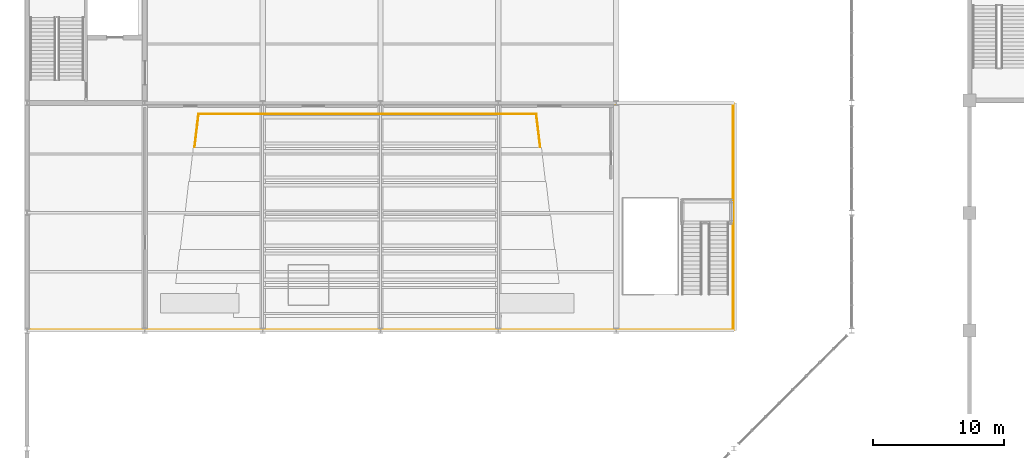
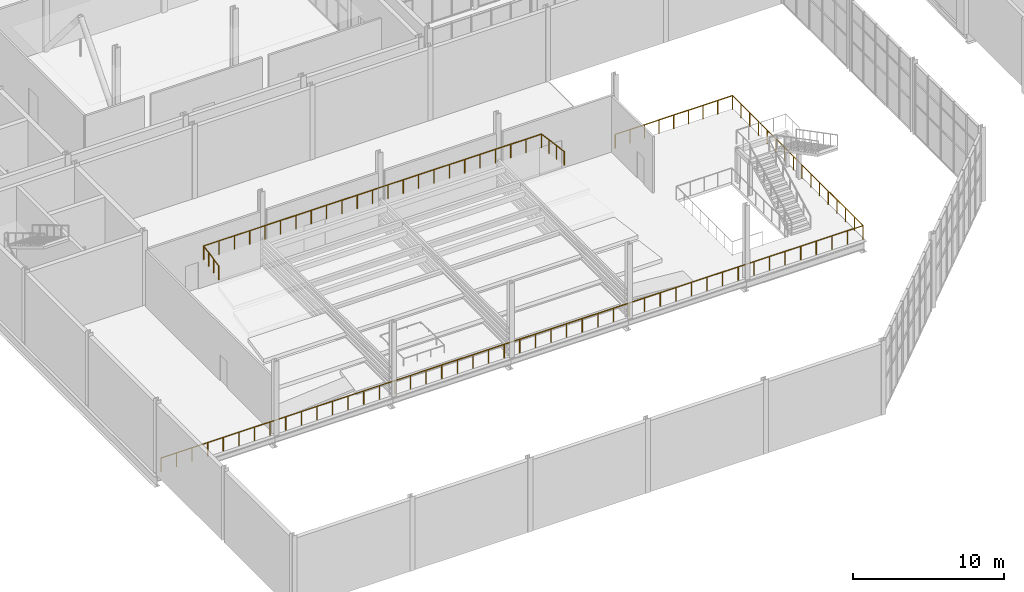
# One storey, part 141 of 159: 2 railings.
"""IFC4 building model written with IfcOpenShell, lengths in metres."""

from ifc_helpers import new_model, si_unit, direction, frame, origin, origin_2d, place, context, subcontext, project, spatial, circle, extrude, material, type_object, element, save


model = new_model("IFC4")

# Units and contexts
model_context = context("Model", 3, precision=1e-05, world=origin(), true_north=direction((0.0, 1.0)))
body_context = subcontext(model_context, "Body", "Model", "MODEL_VIEW")
ifc_project = project(units=[si_unit("LENGTHUNIT", "METRE"), si_unit("AREAUNIT", "SQUARE_METRE"), si_unit("VOLUMEUNIT", "CUBIC_METRE"), si_unit("PLANEANGLEUNIT", "RADIAN"), si_unit("MASSUNIT", "GRAM", prefix="KILO")], contexts=[model_context])

# Site, building, storey
site_placement = place(None, origin())
site = spatial("IfcSite", under=ifc_project, at=site_placement, CompositionType="ELEMENT")
building_placement = place(site_placement, origin())
building = spatial("IfcBuilding", under=site, at=building_placement, Name="Cazmaro Siding Exhibition Halls", CompositionType="ELEMENT")
storey_placement = place(building_placement, frame((0.0, 0.0, 6.0)))
storey = spatial("IfcBuildingStorey", under=building, at=storey_placement, Name="L01", CompositionType="ELEMENT", Elevation=6.0)

# Railings
ifc_material = material(Name="Interior Laminated Glass and Brushed Stainless Steel Balustrade", Category="steel")
railing_type = type_object("IfcRailingType", Name="RL-BAL-02", PredefinedType="BALUSTRADE", material=ifc_material)
railing_1_placement = place(storey_placement, frame((0.300048828125, 27.050048828125, 0.0)))
element("IfcRailing", 1, at=railing_1_placement, inside=storey, type_object=railing_type, Name="Congress Balcony and Foyer Guard RL-BAL-02 RL-G057", PredefinedType="BALUSTRADE", context=body_context, shape_type="SweptSolid", body=[
    extrude(circle(Radius=0.02392578125, at=origin_2d()), frame((0.0, 0.0, 1.09619140625), z_axis=(1.0, 0.0, 0.0), x_axis=(0.0, 1.0, 0.0)), (0.0, 0.0, 1.0), 53.64990234375),
    extrude(circle(Radius=0.02392578125, at=origin_2d()), frame((53.64990234375, 0.0, 1.09619140625), z_axis=(0.0, 1.0, 0.0), x_axis=(-1.0, 0.0, 0.0)), (0.0, 0.0, 1.0), 17.300048828125),
    extrude(circle(Radius=0.02392578125, at=origin_2d()), frame((53.64990234375, 17.300048828125, 1.09619140625), z_axis=(-1.0, 0.0, 0.0), x_axis=(0.0, -1.0, 0.0)), (0.0, 0.0, 1.0), 8.949951171875),
    extrude(circle(Radius=0.02099609375, at=origin_2d()), origin(), (0.0, 0.0, 1.0), 1.072021484375),
    extrude(circle(Radius=0.02099609375, at=origin_2d()), frame((1.192138671875, 0.0, 0.0)), (0.0, 0.0, 1.0), 1.072021484375),
    extrude(circle(Radius=0.02099609375, at=origin_2d()), frame((2.384521484375, 0.0, 0.0)), (0.0, 0.0, 1.0), 1.072021484375),
    extrude(circle(Radius=0.02099609375, at=origin_2d()), frame((3.57666015625, 0.0, 0.0)), (0.0, 0.0, 1.0), 1.072021484375),
    extrude(circle(Radius=0.02099609375, at=origin_2d()), frame((4.768798828125, 0.0, 0.0)), (0.0, 0.0, 1.0), 1.072021484375),
    extrude(circle(Radius=0.02099609375, at=origin_2d()), frame((5.961181640625, 0.0, 0.0)), (0.0, 0.0, 1.0), 1.072021484375),
    extrude(circle(Radius=0.02099609375, at=origin_2d()), frame((7.1533203125, 0.0, 0.0)), (0.0, 0.0, 1.0), 1.072021484375),
    extrude(circle(Radius=0.02099609375, at=origin_2d()), frame((8.345458984375, 0.0, 0.0)), (0.0, 0.0, 1.0), 1.072021484375),
    extrude(circle(Radius=0.02099609375, at=origin_2d()), frame((9.537841796875, 0.0, 0.0)), (0.0, 0.0, 1.0), 1.072021484375),
    extrude(circle(Radius=0.02099609375, at=origin_2d()), frame((10.72998046875, 0.0, 0.0)), (0.0, 0.0, 1.0), 1.072021484375),
    extrude(circle(Radius=0.02099609375, at=origin_2d()), frame((11.922119140625, 0.0, 0.0)), (0.0, 0.0, 1.0), 1.072021484375),
    extrude(circle(Radius=0.02099609375, at=origin_2d()), frame((13.114501953125, 0.0, 0.0)), (0.0, 0.0, 1.0), 1.072021484375),
    extrude(circle(Radius=0.02099609375, at=origin_2d()), frame((14.306640625, 0.0, 0.0)), (0.0, 0.0, 1.0), 1.072021484375),
    extrude(circle(Radius=0.02099609375, at=origin_2d()), frame((15.498779296875, 0.0, 0.0)), (0.0, 0.0, 1.0), 1.072021484375),
    extrude(circle(Radius=0.02099609375, at=origin_2d()), frame((16.691162109375, 0.0, 0.0)), (0.0, 0.0, 1.0), 1.072021484375),
    extrude(circle(Radius=0.02099609375, at=origin_2d()), frame((17.88330078125, 0.0, 0.0)), (0.0, 0.0, 1.0), 1.072021484375),
    extrude(circle(Radius=0.02099609375, at=origin_2d()), frame((19.075439453125, 0.0, 0.0)), (0.0, 0.0, 1.0), 1.072021484375),
    extrude(circle(Radius=0.02099609375, at=origin_2d()), frame((20.267822265625, 0.0, 0.0)), (0.0, 0.0, 1.0), 1.072021484375),
    extrude(circle(Radius=0.02099609375, at=origin_2d()), frame((21.4599609375, 0.0, 0.0)), (0.0, 0.0, 1.0), 1.072021484375),
    extrude(circle(Radius=0.02099609375, at=origin_2d()), frame((22.652099609375, 0.0, 0.0)), (0.0, 0.0, 1.0), 1.072021484375),
    extrude(circle(Radius=0.02099609375, at=origin_2d()), frame((23.844482421875, 0.0, 0.0)), (0.0, 0.0, 1.0), 1.072021484375),
    extrude(circle(Radius=0.02099609375, at=origin_2d()), frame((25.03662109375, 0.0, 0.0)), (0.0, 0.0, 1.0), 1.072021484375),
    extrude(circle(Radius=0.02099609375, at=origin_2d()), frame((26.228759765625, 0.0, 0.0)), (0.0, 0.0, 1.0), 1.072021484375),
    extrude(circle(Radius=0.02099609375, at=origin_2d()), frame((27.421142578125, 0.0, 0.0)), (0.0, 0.0, 1.0), 1.072021484375),
    extrude(circle(Radius=0.02099609375, at=origin_2d()), frame((28.61328125, 0.0, 0.0)), (0.0, 0.0, 1.0), 1.072021484375),
    extrude(circle(Radius=0.02099609375, at=origin_2d()), frame((29.805419921875, 0.0, 0.0)), (0.0, 0.0, 1.0), 1.072021484375),
    extrude(circle(Radius=0.02099609375, at=origin_2d()), frame((30.997802734375, 0.0, 0.0)), (0.0, 0.0, 1.0), 1.072021484375),
    extrude(circle(Radius=0.02099609375, at=origin_2d()), frame((32.18994140625, 0.0, 0.0)), (0.0, 0.0, 1.0), 1.072021484375),
    extrude(circle(Radius=0.02099609375, at=origin_2d()), frame((33.382080078125, 0.0, 0.0)), (0.0, 0.0, 1.0), 1.072021484375),
    extrude(circle(Radius=0.02099609375, at=origin_2d()), frame((34.574462890625, 0.0, 0.0)), (0.0, 0.0, 1.0), 1.072021484375),
    extrude(circle(Radius=0.02099609375, at=origin_2d()), frame((35.7666015625, 0.0, 0.0)), (0.0, 0.0, 1.0), 1.072021484375),
    extrude(circle(Radius=0.02099609375, at=origin_2d()), frame((36.958740234375, 0.0, 0.0)), (0.0, 0.0, 1.0), 1.072021484375),
    extrude(circle(Radius=0.02099609375, at=origin_2d()), frame((38.151123046875, 0.0, 0.0)), (0.0, 0.0, 1.0), 1.072021484375),
    extrude(circle(Radius=0.02099609375, at=origin_2d()), frame((39.34326171875, 0.0, 0.0)), (0.0, 0.0, 1.0), 1.072021484375),
    extrude(circle(Radius=0.02099609375, at=origin_2d()), frame((40.535400390625, 0.0, 0.0)), (0.0, 0.0, 1.0), 1.072021484375),
    extrude(circle(Radius=0.02099609375, at=origin_2d()), frame((41.727783203125, 0.0, 0.0)), (0.0, 0.0, 1.0), 1.072021484375),
    extrude(circle(Radius=0.02099609375, at=origin_2d()), frame((42.919921875, 0.0, 0.0)), (0.0, 0.0, 1.0), 1.072021484375),
    extrude(circle(Radius=0.02099609375, at=origin_2d()), frame((44.112060546875, 0.0, 0.0)), (0.0, 0.0, 1.0), 1.072021484375),
    extrude(circle(Radius=0.02099609375, at=origin_2d()), frame((45.304443359375, 0.0, 0.0)), (0.0, 0.0, 1.0), 1.072021484375),
    extrude(circle(Radius=0.02099609375, at=origin_2d()), frame((46.49658203125, 0.0, 0.0)), (0.0, 0.0, 1.0), 1.072021484375),
    extrude(circle(Radius=0.02099609375, at=origin_2d()), frame((47.688720703125, 0.0, 0.0)), (0.0, 0.0, 1.0), 1.072021484375),
    extrude(circle(Radius=0.02099609375, at=origin_2d()), frame((48.881103515625, 0.0, 0.0)), (0.0, 0.0, 1.0), 1.072021484375),
    extrude(circle(Radius=0.02099609375, at=origin_2d()), frame((50.0732421875, 0.0, 0.0)), (0.0, 0.0, 1.0), 1.072021484375),
    extrude(circle(Radius=0.02099609375, at=origin_2d()), frame((51.265380859375, 0.0, 0.0)), (0.0, 0.0, 1.0), 1.072021484375),
    extrude(circle(Radius=0.02099609375, at=origin_2d()), frame((52.457763671875, 0.0, 0.0)), (0.0, 0.0, 1.0), 1.072021484375),
    extrude(circle(Radius=0.02099609375, at=origin_2d()), frame((53.64990234375, 0.0, 0.0)), (0.0, 0.0, 1.0), 1.072021484375),
    extrude(circle(Radius=0.02099609375, at=origin_2d()), frame((53.64990234375, 1.1533203125, 0.0)), (0.0, 0.0, 1.0), 1.072021484375),
    extrude(circle(Radius=0.02099609375, at=origin_2d()), frame((53.64990234375, 2.306640625, 0.0)), (0.0, 0.0, 1.0), 1.072021484375),
    extrude(circle(Radius=0.02099609375, at=origin_2d()), frame((53.64990234375, 3.4599609375, 0.0)), (0.0, 0.0, 1.0), 1.072021484375),
    extrude(circle(Radius=0.02099609375, at=origin_2d()), frame((53.64990234375, 4.61328125, 0.0)), (0.0, 0.0, 1.0), 1.072021484375),
    extrude(circle(Radius=0.02099609375, at=origin_2d()), frame((53.64990234375, 5.7666015625, 0.0)), (0.0, 0.0, 1.0), 1.072021484375),
    extrude(circle(Radius=0.02099609375, at=origin_2d()), frame((53.64990234375, 6.919921875, 0.0)), (0.0, 0.0, 1.0), 1.072021484375),
    extrude(circle(Radius=0.02099609375, at=origin_2d()), frame((53.64990234375, 8.0732421875, 0.0)), (0.0, 0.0, 1.0), 1.072021484375),
    extrude(circle(Radius=0.02099609375, at=origin_2d()), frame((53.64990234375, 9.226806640625, 0.0)), (0.0, 0.0, 1.0), 1.072021484375),
    extrude(circle(Radius=0.02099609375, at=origin_2d()), frame((53.64990234375, 10.380126953125, 0.0)), (0.0, 0.0, 1.0), 1.072021484375),
    extrude(circle(Radius=0.02099609375, at=origin_2d()), frame((53.64990234375, 11.533447265625, 0.0)), (0.0, 0.0, 1.0), 1.072021484375),
    extrude(circle(Radius=0.02099609375, at=origin_2d()), frame((53.64990234375, 12.686767578125, 0.0)), (0.0, 0.0, 1.0), 1.072021484375),
    extrude(circle(Radius=0.02099609375, at=origin_2d()), frame((53.64990234375, 13.840087890625, 0.0)), (0.0, 0.0, 1.0), 1.072021484375),
    extrude(circle(Radius=0.02099609375, at=origin_2d()), frame((53.64990234375, 14.993408203125, 0.0)), (0.0, 0.0, 1.0), 1.072021484375),
    extrude(circle(Radius=0.02099609375, at=origin_2d()), frame((53.64990234375, 16.146728515625, 0.0)), (0.0, 0.0, 1.0), 1.072021484375),
    extrude(circle(Radius=0.02099609375, at=origin_2d()), frame((53.64990234375, 17.300048828125, 0.0)), (0.0, 0.0, 1.0), 1.072021484375),
    extrude(circle(Radius=0.02099609375, at=origin_2d()), frame((52.53125, 17.300048828125, 0.0)), (0.0, 0.0, 1.0), 1.072021484375),
    extrude(circle(Radius=0.02099609375, at=origin_2d()), frame((51.412353515625, 17.300048828125, 0.0)), (0.0, 0.0, 1.0), 1.072021484375),
    extrude(circle(Radius=0.02099609375, at=origin_2d()), frame((50.293701171875, 17.300048828125, 0.0)), (0.0, 0.0, 1.0), 1.072021484375),
    extrude(circle(Radius=0.02099609375, at=origin_2d()), frame((49.1748046875, 17.300048828125, 0.0)), (0.0, 0.0, 1.0), 1.072021484375),
    extrude(circle(Radius=0.02099609375, at=origin_2d()), frame((48.05615234375, 17.300048828125, 0.0)), (0.0, 0.0, 1.0), 1.072021484375),
    extrude(circle(Radius=0.02099609375, at=origin_2d()), frame((46.9375, 17.300048828125, 0.0)), (0.0, 0.0, 1.0), 1.072021484375),
    extrude(circle(Radius=0.02099609375, at=origin_2d()), frame((45.818603515625, 17.300048828125, 0.0)), (0.0, 0.0, 1.0), 1.072021484375),
    extrude(circle(Radius=0.02099609375, at=origin_2d()), frame((44.699951171875, 17.300048828125, 0.0)), (0.0, 0.0, 1.0), 1.072021484375),
])
railing_2_placement = place(storey_placement, frame((12.800048828125, 41.050048828125, 2.64990234375)))
element("IfcRailing", 2, at=railing_2_placement, inside=storey, type_object=railing_type, Name="Congress Balcony Top Tier Guard RL-BAL-02 RL-G060", PredefinedType="BALUSTRADE", context=body_context, shape_type="SweptSolid", body=[
    extrude(circle(Radius=0.02392578125, at=origin_2d()), frame((0.0, 0.0, 1.09619140625), z_axis=(0.119164337395, 0.992874544287, 0.0), x_axis=(-0.992874544287, 0.119164337395, 0.0)), (0.0, 0.0, 1.0), 2.517822265625),
    extrude(circle(Radius=0.02392578125, at=origin_2d()), frame((0.300048828125, 2.5, 1.09619140625), z_axis=(1.0, 0.0, 0.0), x_axis=(0.0, 1.0, 0.0)), (0.0, 0.0, 1.0), 25.7998046875),
    extrude(circle(Radius=0.02392578125, at=origin_2d()), frame((26.099853515625, 2.5, 1.09619140625), z_axis=(0.119164337395, -0.992874544287, 0.0), x_axis=(0.992874544287, 0.119164337395, 0.0)), (0.0, 0.0, 1.0), 2.517822265625),
    extrude(circle(Radius=0.02099609375, at=origin_2d()), origin(), (0.0, 0.0, 1.0), 1.072021484375),
    extrude(circle(Radius=0.02099609375, at=origin_2d()), frame((0.10009765625, 0.833251953125, 0.0)), (0.0, 0.0, 1.0), 1.072021484375),
    extrude(circle(Radius=0.02099609375, at=origin_2d()), frame((0.199951171875, 1.666748046875, 0.0)), (0.0, 0.0, 1.0), 1.072021484375),
    extrude(circle(Radius=0.02099609375, at=origin_2d()), frame((0.300048828125, 2.5, 0.0)), (0.0, 0.0, 1.0), 1.072021484375),
    extrude(circle(Radius=0.02099609375, at=origin_2d()), frame((1.47265625, 2.5, 0.0)), (0.0, 0.0, 1.0), 1.072021484375),
    extrude(circle(Radius=0.02099609375, at=origin_2d()), frame((2.6455078125, 2.5, 0.0)), (0.0, 0.0, 1.0), 1.072021484375),
    extrude(circle(Radius=0.02099609375, at=origin_2d()), frame((3.818115234375, 2.5, 0.0)), (0.0, 0.0, 1.0), 1.072021484375),
    extrude(circle(Radius=0.02099609375, at=origin_2d()), frame((4.990966796875, 2.5, 0.0)), (0.0, 0.0, 1.0), 1.072021484375),
    extrude(circle(Radius=0.02099609375, at=origin_2d()), frame((6.16357421875, 2.5, 0.0)), (0.0, 0.0, 1.0), 1.072021484375),
    extrude(circle(Radius=0.02099609375, at=origin_2d()), frame((7.33642578125, 2.5, 0.0)), (0.0, 0.0, 1.0), 1.072021484375),
    extrude(circle(Radius=0.02099609375, at=origin_2d()), frame((8.509033203125, 2.5, 0.0)), (0.0, 0.0, 1.0), 1.072021484375),
    extrude(circle(Radius=0.02099609375, at=origin_2d()), frame((9.681884765625, 2.5, 0.0)), (0.0, 0.0, 1.0), 1.072021484375),
    extrude(circle(Radius=0.02099609375, at=origin_2d()), frame((10.8544921875, 2.5, 0.0)), (0.0, 0.0, 1.0), 1.072021484375),
    extrude(circle(Radius=0.02099609375, at=origin_2d()), frame((12.02734375, 2.5, 0.0)), (0.0, 0.0, 1.0), 1.072021484375),
    extrude(circle(Radius=0.02099609375, at=origin_2d()), frame((13.199951171875, 2.5, 0.0)), (0.0, 0.0, 1.0), 1.072021484375),
    extrude(circle(Radius=0.02099609375, at=origin_2d()), frame((14.37255859375, 2.5, 0.0)), (0.0, 0.0, 1.0), 1.072021484375),
    extrude(circle(Radius=0.02099609375, at=origin_2d()), frame((15.54541015625, 2.5, 0.0)), (0.0, 0.0, 1.0), 1.072021484375),
    extrude(circle(Radius=0.02099609375, at=origin_2d()), frame((16.718017578125, 2.5, 0.0)), (0.0, 0.0, 1.0), 1.072021484375),
    extrude(circle(Radius=0.02099609375, at=origin_2d()), frame((17.890869140625, 2.5, 0.0)), (0.0, 0.0, 1.0), 1.072021484375),
    extrude(circle(Radius=0.02099609375, at=origin_2d()), frame((19.0634765625, 2.5, 0.0)), (0.0, 0.0, 1.0), 1.072021484375),
    extrude(circle(Radius=0.02099609375, at=origin_2d()), frame((20.236328125, 2.5, 0.0)), (0.0, 0.0, 1.0), 1.072021484375),
    extrude(circle(Radius=0.02099609375, at=origin_2d()), frame((21.408935546875, 2.5, 0.0)), (0.0, 0.0, 1.0), 1.072021484375),
    extrude(circle(Radius=0.02099609375, at=origin_2d()), frame((22.581787109375, 2.5, 0.0)), (0.0, 0.0, 1.0), 1.072021484375),
    extrude(circle(Radius=0.02099609375, at=origin_2d()), frame((23.75439453125, 2.5, 0.0)), (0.0, 0.0, 1.0), 1.072021484375),
    extrude(circle(Radius=0.02099609375, at=origin_2d()), frame((24.92724609375, 2.5, 0.0)), (0.0, 0.0, 1.0), 1.072021484375),
    extrude(circle(Radius=0.02099609375, at=origin_2d()), frame((26.099853515625, 2.5, 0.0)), (0.0, 0.0, 1.0), 1.072021484375),
    extrude(circle(Radius=0.02099609375, at=origin_2d()), frame((26.199951171875, 1.666748046875, 0.0)), (0.0, 0.0, 1.0), 1.072021484375),
    extrude(circle(Radius=0.02099609375, at=origin_2d()), frame((26.2998046875, 0.833251953125, 0.0)), (0.0, 0.0, 1.0), 1.072021484375),
    extrude(circle(Radius=0.02099609375, at=origin_2d()), frame((26.39990234375, 0.0, 0.0)), (0.0, 0.0, 1.0), 1.072021484375),
])

save(model, "model.ifc")
